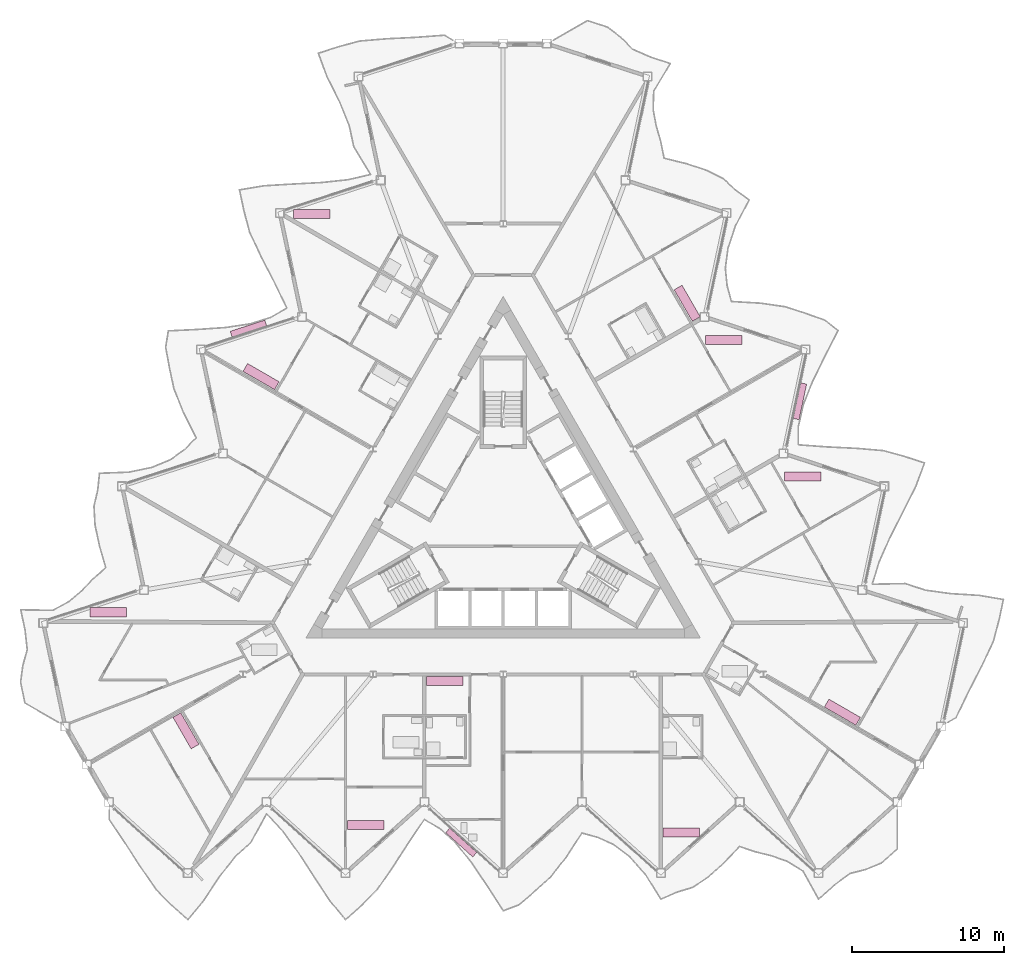
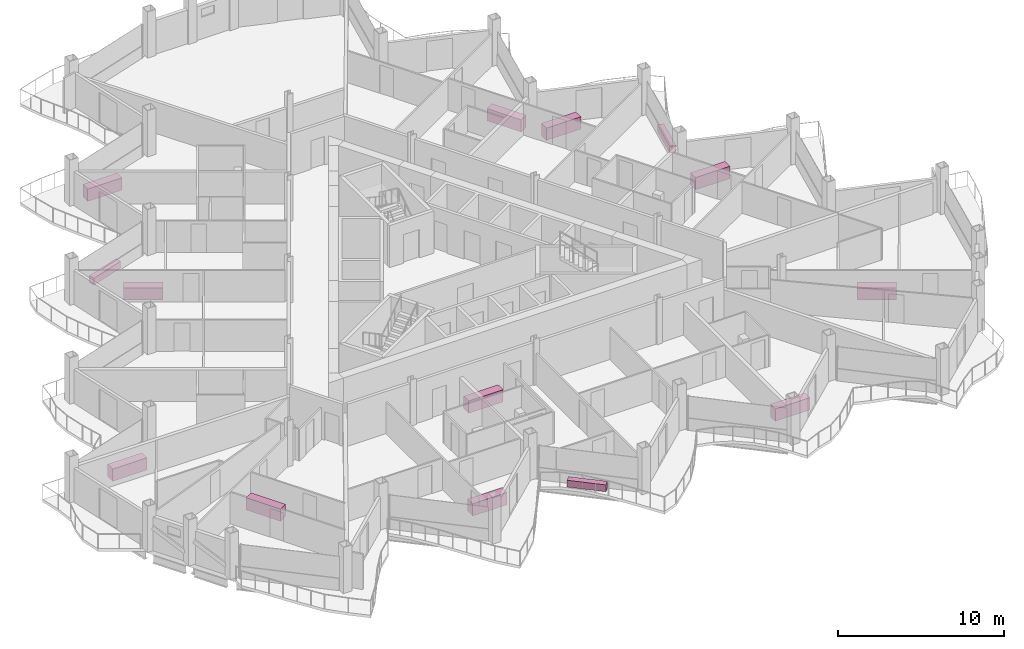
# One storey, part 26 of 26: 14 furniture elements.
"""IFC4 building model written with IfcOpenShell, lengths in metres."""

from ifc_helpers import new_model, si_unit, direction, frame, origin, origin_2d, place, context, subcontext, project, spatial, rectangle, extrude, material, type_object, element, save


model = new_model("IFC4")

# Units and contexts
model_context = context("Model", 3, precision=1e-05, world=origin(), true_north=direction((0.0, 1.0)))
body_context = subcontext(model_context, "Body", "Model", "MODEL_VIEW")
ifc_project = project(units=[si_unit("LENGTHUNIT", "METRE"), si_unit("AREAUNIT", "SQUARE_METRE"), si_unit("VOLUMEUNIT", "CUBIC_METRE"), si_unit("PLANEANGLEUNIT", "RADIAN"), si_unit("MASSUNIT", "GRAM", prefix="KILO")], contexts=[model_context])

# Site, building, storey
site_placement = place(None, origin())
site = spatial("IfcSite", under=ifc_project, at=site_placement, CompositionType="ELEMENT")
building_placement = place(site_placement, origin())
building = spatial("IfcBuilding", under=site, at=building_placement, Name="Cormorant Prow Tower", CompositionType="ELEMENT")
storey_placement = place(building_placement, frame((0.0, 0.0, 342.60009765625)))
storey = spatial("IfcBuildingStorey", under=building, at=storey_placement, Name="L77", CompositionType="ELEMENT", Elevation=342.60009765625)

# Furniture
ifc_material_1 = material(Name="Terracotta", Category="masonry")
furniture_type_1 = type_object("IfcFurnitureType", Name="Balcony planter 2400x400x500", AssemblyPlace="NOTDEFINED", PredefinedType="USERDEFINED", material=ifc_material_1)
for number, where, z_axis, x_axis, name in (
    (1, (-2.76611328125, -20.9912109375, 0.0), (0.0, 0.0, 1.0), (0.743144841944, -0.669130588071, 0.0), "Balcony planter S04"),
    (2, (19.56201171875, 8.10009765625, 0.0), (0.0, 0.0, 1.0), (0.207911739302, 0.978147590428, 0.0), "Balcony planter ENE04"),
    (3, (-16.7958984375, 12.89111328125, 0.0), (0.0, 0.0, 1.0), (-0.951056504613, -0.309017030329, 0.0), "Balcony planter WNW04"),
):
    element("IfcFurniture", number, at=place(storey_placement, frame(where, z_axis=z_axis, x_axis=x_axis)), inside=storey, type_object=furniture_type_1, Name=name, ObjectType="PLANTER", PredefinedType="USERDEFINED", context=body_context, shape_type="SweptSolid", body=[
        extrude(rectangle(XDim=2.39990234375, YDim=0.39990234375, at=origin_2d()), origin(), (0.0, 0.0, 1.0), 0.5),
    ])
ifc_material_2 = material(Name="Timber joinery", Category="wood")
furniture_type_2 = type_object("IfcFurnitureType", Name="Kitchen counter 2400x600", AssemblyPlace="NOTDEFINED", PredefinedType="NOTDEFINED", material=ifc_material_2)
for number, where, z_axis, x_axis, name in (
    (4, (-9.050048828125, -19.83203125, 0.0), (0.0, 0.0, 1.0), (1.0, 0.0, 0.0), "Kitchen counter"),
    (5, (-3.8525390625, -10.3505859375, 0.0), (0.0, 0.0, 1.0), (1.0, 0.0, 0.0), "Kitchen counter"),
    (6, (11.739990234375, -20.33203125, 0.0), (0.0, 0.0, 1.0), (1.0, 0.0, 0.0), "Kitchen counter"),
    (7, (22.36328125, -12.397705078125, 0.0), (0.0, 0.0, 1.0), (-0.866025403784, 0.5, 0.0), "Kitchen counter"),
    (8, (19.747314453125, 3.1484375, 0.0), (0.0, 0.0, 1.0), (1.0, 0.0, 0.0), "Kitchen counter"),
    (9, (14.5498046875, 12.15087890625, 0.0), (0.0, 0.0, 1.0), (1.0, 0.0, 0.0), "Kitchen counter"),
    (10, (12.133056640625, 14.5595703125, 0.0), (0.0, 0.0, 1.0), (-0.5, 0.866025403784, 0.0), "Kitchen counter"),
    (11, (-12.61474609375, 20.434814453125, 0.0), (0.0, 0.0, 1.0), (1.0, 0.0, 0.0), "Kitchen counter"),
    (12, (-15.961181640625, 9.72900390625, 0.0), (0.0, 0.0, 1.0), (-0.866025403784, 0.5, 0.0), "Kitchen counter"),
    (13, (-26.02685546875, -5.81005859375, 0.0), (0.0, 0.0, 1.0), (1.0, 0.0, 0.0), "Kitchen counter"),
    (14, (-20.912841796875, -13.627197265625, 0.0), (0.0, 0.0, 1.0), (0.5, -0.866025403784, 0.0), "Kitchen counter"),
):
    element("IfcFurniture", number, at=place(storey_placement, frame(where, z_axis=z_axis, x_axis=x_axis)), inside=storey, type_object=furniture_type_2, Name=name, PredefinedType="NOTDEFINED", context=body_context, shape_type="SweptSolid", body=[
        extrude(rectangle(XDim=2.39990234375, YDim=0.60009765625, at=origin_2d()), origin(), (0.0, 0.0, 1.0), 0.89990234375),
    ])

save(model, "model.ifc")
